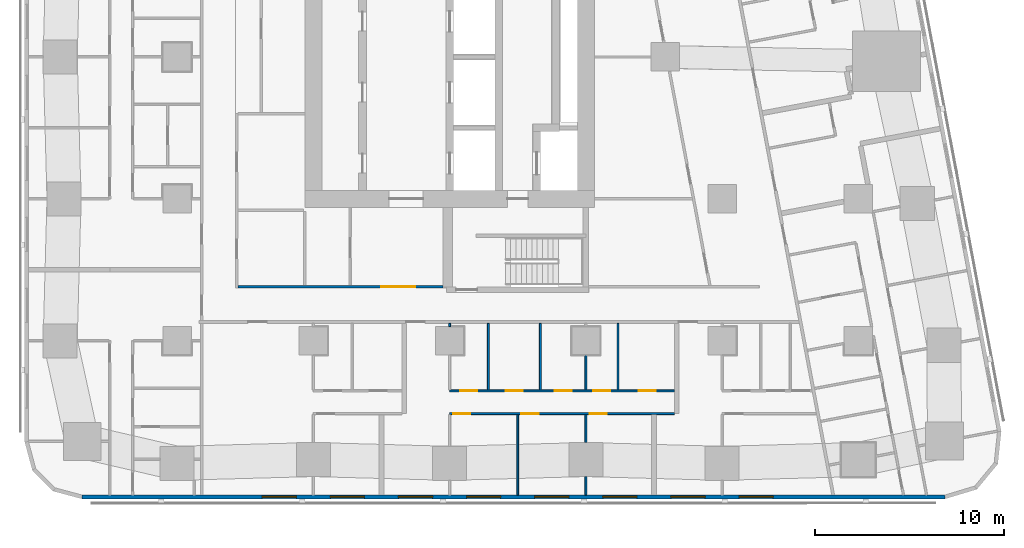
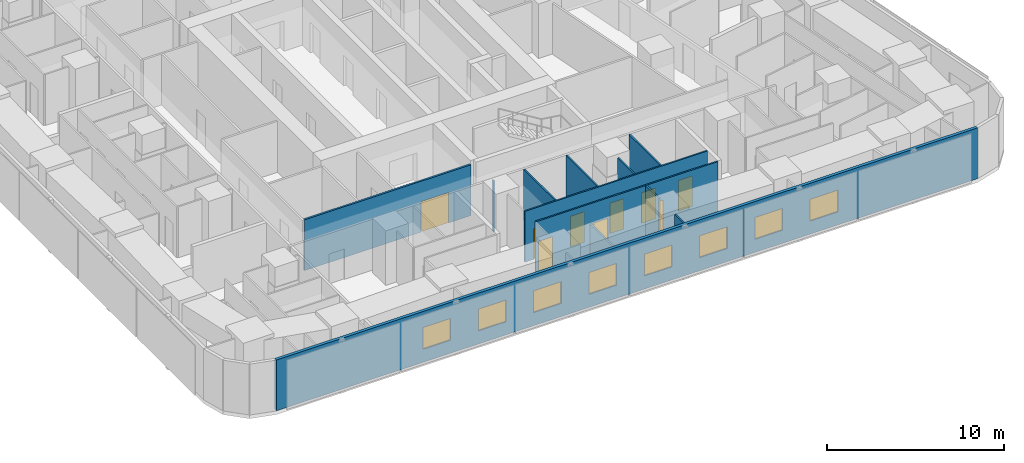
# One storey, part 3 of 15: 12 walls, 9 doors, 8 windows, 17 openings.
"""IFC4 building model written with IfcOpenShell, lengths in metres."""

from ifc_helpers import new_model, si_unit, direction, frame, frame_2d, origin, place, context, subcontext, project, spatial, rectangle, extrude, material, layer, layer_set, type_object, element, fill, save


model = new_model("IFC4")

# Units and contexts
model_context = context("Model", 3, precision=1e-05, world=origin(), true_north=direction((0.0, 1.0)))
body_context = subcontext(model_context, "Body", "Model", "MODEL_VIEW")
ifc_project = project(units=[si_unit("LENGTHUNIT", "METRE"), si_unit("AREAUNIT", "SQUARE_METRE"), si_unit("VOLUMEUNIT", "CUBIC_METRE"), si_unit("PLANEANGLEUNIT", "RADIAN"), si_unit("MASSUNIT", "GRAM", prefix="KILO")], contexts=[model_context])

# Site, building, storey
site_placement = place(None, origin())
site = spatial("IfcSite", under=ifc_project, at=site_placement, CompositionType="ELEMENT")
building_placement = place(site_placement, origin())
building = spatial("IfcBuilding", under=site, at=building_placement, Name="Sheger Commons Tower", CompositionType="ELEMENT")
storey_placement = place(building_placement, frame((0.0, 0.0, 158.300048828125)))
storey = spatial("IfcBuildingStorey", under=building, at=storey_placement, Name="L40", CompositionType="ELEMENT", Elevation=158.300048828125)

# Wall, openings, windows
ifc_material_1 = material(Name="Rendered concrete block masonry, dark grey", Category="masonry")
ifc_layer_1 = layer(ifc_material_1, 0.199951171875)
ifc_layer_set_1 = layer_set([ifc_layer_1], Name="FACADE WALL 200")
wall_type_1 = type_object("IfcWallType", Name="FACADE WALL 200", PredefinedType="SOLIDWALL", material=ifc_layer_set_1)
wall_1_placement = place(storey_placement, frame((2.1630859375, -0.75, 0.0), z_axis=(0.0, 0.0, 1.0), x_axis=(1.0, 0.0, 0.0)))
wall_1 = element("IfcWall", 1, at=wall_1_placement, inside=storey, type_object=wall_type_1, Name="Facade wall L40", PredefinedType="SOLIDWALL", context=body_context, shape_type="SweptSolid", body=[
    extrude(rectangle(XDim=45.6279296875, YDim=0.199951171875, at=frame_2d((22.81396484375, 0.0))), origin(), (0.0, 0.0, 1.0), 3.5),
])
opening_1_placement = place(wall_1_placement, frame((9.537109375, 0.0, 0.89990234375)))
opening_1 = element("IfcOpeningElement", 2, at=opening_1_placement, cuts=wall_1, Name="Opening W2", PredefinedType="OPENING", context=body_context, shape_type="SweptSolid", body=[
    extrude(rectangle(XDim=1.800048828125, YDim=1.5, at=frame_2d((0.89990234375, 0.75))), frame((0.0, 0.10986328125, 0.0), z_axis=(0.0, -1.0, 0.0), x_axis=(1.0, 0.0, 0.0)), (0.0, 0.0, 1.0), 0.219970703125),
])
opening_2_placement = place(wall_1_placement, frame((13.136962890625, 0.0, 0.89990234375)))
opening_2 = element("IfcOpeningElement", 3, at=opening_2_placement, cuts=wall_1, Name="Opening W2", PredefinedType="OPENING", context=body_context, shape_type="SweptSolid", body=[
    extrude(rectangle(XDim=1.800048828125, YDim=1.5, at=frame_2d((0.89990234375, 0.75))), frame((0.0, 0.10986328125, 0.0), z_axis=(0.0, -1.0, 0.0), x_axis=(1.0, 0.0, 0.0)), (0.0, 0.0, 1.0), 0.219970703125),
])
opening_3_placement = place(wall_1_placement, frame((16.737060546875, 0.0, 0.89990234375)))
opening_3 = element("IfcOpeningElement", 4, at=opening_3_placement, cuts=wall_1, Name="Opening W2", PredefinedType="OPENING", context=body_context, shape_type="SweptSolid", body=[
    extrude(rectangle(XDim=1.800048828125, YDim=1.5, at=frame_2d((0.89990234375, 0.75))), frame((0.0, 0.10986328125, 0.0), z_axis=(0.0, -1.0, 0.0), x_axis=(1.0, 0.0, 0.0)), (0.0, 0.0, 1.0), 0.219970703125),
])
opening_4_placement = place(wall_1_placement, frame((20.3369140625, 0.0, 0.89990234375)))
opening_4 = element("IfcOpeningElement", 5, at=opening_4_placement, cuts=wall_1, Name="Opening W2", PredefinedType="OPENING", context=body_context, shape_type="SweptSolid", body=[
    extrude(rectangle(XDim=1.800048828125, YDim=1.5, at=frame_2d((0.89990234375, 0.75))), frame((0.0, 0.10986328125, 0.0), z_axis=(0.0, -1.0, 0.0), x_axis=(1.0, 0.0, 0.0)), (0.0, 0.0, 1.0), 0.219970703125),
])
opening_5_placement = place(wall_1_placement, frame((23.93701171875, 0.0, 0.89990234375)))
opening_5 = element("IfcOpeningElement", 6, at=opening_5_placement, cuts=wall_1, Name="Opening W2", PredefinedType="OPENING", context=body_context, shape_type="SweptSolid", body=[
    extrude(rectangle(XDim=1.800048828125, YDim=1.5, at=frame_2d((0.89990234375, 0.75))), frame((0.0, 0.10986328125, 0.0), z_axis=(0.0, -1.0, 0.0), x_axis=(1.0, 0.0, 0.0)), (0.0, 0.0, 1.0), 0.219970703125),
])
opening_6_placement = place(wall_1_placement, frame((27.537109375, 0.0, 0.89990234375)))
opening_6 = element("IfcOpeningElement", 7, at=opening_6_placement, cuts=wall_1, Name="Opening W2", PredefinedType="OPENING", context=body_context, shape_type="SweptSolid", body=[
    extrude(rectangle(XDim=1.800048828125, YDim=1.5, at=frame_2d((0.89990234375, 0.75))), frame((0.0, 0.10986328125, 0.0), z_axis=(0.0, -1.0, 0.0), x_axis=(1.0, 0.0, 0.0)), (0.0, 0.0, 1.0), 0.219970703125),
])
opening_7_placement = place(wall_1_placement, frame((31.136962890625, 0.0, 0.89990234375)))
opening_7 = element("IfcOpeningElement", 8, at=opening_7_placement, cuts=wall_1, Name="Opening W2", PredefinedType="OPENING", context=body_context, shape_type="SweptSolid", body=[
    extrude(rectangle(XDim=1.800048828125, YDim=1.5, at=frame_2d((0.89990234375, 0.75))), frame((0.0, 0.10986328125, 0.0), z_axis=(0.0, -1.0, 0.0), x_axis=(1.0, 0.0, 0.0)), (0.0, 0.0, 1.0), 0.219970703125),
])
opening_8_placement = place(wall_1_placement, frame((34.737060546875, 0.0, 0.89990234375)))
opening_8 = element("IfcOpeningElement", 9, at=opening_8_placement, cuts=wall_1, Name="Opening W2", PredefinedType="OPENING", context=body_context, shape_type="SweptSolid", body=[
    extrude(rectangle(XDim=1.800048828125, YDim=1.5, at=frame_2d((0.89990234375, 0.75))), frame((0.0, 0.10986328125, 0.0), z_axis=(0.0, -1.0, 0.0), x_axis=(1.0, 0.0, 0.0)), (0.0, 0.0, 1.0), 0.219970703125),
])
ifc_material_2 = material(Name="Black aluminium frame, dark tinted double glazing", Category="aluminium")
window_type = type_object("IfcWindowType", Name="WINDOW W2 1800x1500", PartitioningType="SINGLE_PANEL", PredefinedType="WINDOW", material=ifc_material_2)
window_1_placement = place(opening_1_placement, origin())
window_1 = element("IfcWindow", 10, at=window_1_placement, inside=storey, type_object=window_type, Name="Window W2 1800X1500", OverallHeight=1.5, OverallWidth=1.800048828125, PartitioningType="SINGLE_PANEL", PredefinedType="WINDOW", context=body_context, shape_type="SweptSolid", body=[
    extrude(rectangle(XDim=1.800048828125, YDim=1.5, at=frame_2d((0.89990234375, 0.75))), frame((0.0, 0.030029296875, 0.0), z_axis=(0.0, -1.0, 0.0), x_axis=(1.0, 0.0, 0.0)), (0.0, 0.0, 1.0), 0.06005859375),
])
fill(opening_1, window_1)
window_2_placement = place(opening_2_placement, origin())
window_2 = element("IfcWindow", 11, at=window_2_placement, inside=storey, type_object=window_type, Name="Window W2 1800X1500", OverallHeight=1.5, OverallWidth=1.800048828125, PartitioningType="SINGLE_PANEL", PredefinedType="WINDOW", context=body_context, shape_type="SweptSolid", body=[
    extrude(rectangle(XDim=1.800048828125, YDim=1.5, at=frame_2d((0.89990234375, 0.75))), frame((0.0, 0.030029296875, 0.0), z_axis=(0.0, -1.0, 0.0), x_axis=(1.0, 0.0, 0.0)), (0.0, 0.0, 1.0), 0.06005859375),
])
fill(opening_2, window_2)
window_3_placement = place(opening_3_placement, origin())
window_3 = element("IfcWindow", 12, at=window_3_placement, inside=storey, type_object=window_type, Name="Window W2 1800X1500", OverallHeight=1.5, OverallWidth=1.800048828125, PartitioningType="SINGLE_PANEL", PredefinedType="WINDOW", context=body_context, shape_type="SweptSolid", body=[
    extrude(rectangle(XDim=1.800048828125, YDim=1.5, at=frame_2d((0.89990234375, 0.75))), frame((0.0, 0.030029296875, 0.0), z_axis=(0.0, -1.0, 0.0), x_axis=(1.0, 0.0, 0.0)), (0.0, 0.0, 1.0), 0.06005859375),
])
fill(opening_3, window_3)
window_4_placement = place(opening_4_placement, origin())
window_4 = element("IfcWindow", 13, at=window_4_placement, inside=storey, type_object=window_type, Name="Window W2 1800X1500", OverallHeight=1.5, OverallWidth=1.800048828125, PartitioningType="SINGLE_PANEL", PredefinedType="WINDOW", context=body_context, shape_type="SweptSolid", body=[
    extrude(rectangle(XDim=1.800048828125, YDim=1.5, at=frame_2d((0.89990234375, 0.75))), frame((0.0, 0.030029296875, 0.0), z_axis=(0.0, -1.0, 0.0), x_axis=(1.0, 0.0, 0.0)), (0.0, 0.0, 1.0), 0.06005859375),
])
fill(opening_4, window_4)
window_5_placement = place(opening_5_placement, origin())
window_5 = element("IfcWindow", 14, at=window_5_placement, inside=storey, type_object=window_type, Name="Window W2 1800X1500", OverallHeight=1.5, OverallWidth=1.800048828125, PartitioningType="SINGLE_PANEL", PredefinedType="WINDOW", context=body_context, shape_type="SweptSolid", body=[
    extrude(rectangle(XDim=1.800048828125, YDim=1.5, at=frame_2d((0.89990234375, 0.75))), frame((0.0, 0.030029296875, 0.0), z_axis=(0.0, -1.0, 0.0), x_axis=(1.0, 0.0, 0.0)), (0.0, 0.0, 1.0), 0.06005859375),
])
fill(opening_5, window_5)
window_6_placement = place(opening_6_placement, origin())
window_6 = element("IfcWindow", 15, at=window_6_placement, inside=storey, type_object=window_type, Name="Window W2 1800X1500", OverallHeight=1.5, OverallWidth=1.800048828125, PartitioningType="SINGLE_PANEL", PredefinedType="WINDOW", context=body_context, shape_type="SweptSolid", body=[
    extrude(rectangle(XDim=1.800048828125, YDim=1.5, at=frame_2d((0.89990234375, 0.75))), frame((0.0, 0.030029296875, 0.0), z_axis=(0.0, -1.0, 0.0), x_axis=(1.0, 0.0, 0.0)), (0.0, 0.0, 1.0), 0.06005859375),
])
fill(opening_6, window_6)
window_7_placement = place(opening_7_placement, origin())
window_7 = element("IfcWindow", 16, at=window_7_placement, inside=storey, type_object=window_type, Name="Window W2 1800X1500", OverallHeight=1.5, OverallWidth=1.800048828125, PartitioningType="SINGLE_PANEL", PredefinedType="WINDOW", context=body_context, shape_type="SweptSolid", body=[
    extrude(rectangle(XDim=1.800048828125, YDim=1.5, at=frame_2d((0.89990234375, 0.75))), frame((0.0, 0.030029296875, 0.0), z_axis=(0.0, -1.0, 0.0), x_axis=(1.0, 0.0, 0.0)), (0.0, 0.0, 1.0), 0.06005859375),
])
fill(opening_7, window_7)
window_8_placement = place(opening_8_placement, origin())
window_8 = element("IfcWindow", 17, at=window_8_placement, inside=storey, type_object=window_type, Name="Window W2 1800X1500", OverallHeight=1.5, OverallWidth=1.800048828125, PartitioningType="SINGLE_PANEL", PredefinedType="WINDOW", context=body_context, shape_type="SweptSolid", body=[
    extrude(rectangle(XDim=1.800048828125, YDim=1.5, at=frame_2d((0.89990234375, 0.75))), frame((0.0, 0.030029296875, 0.0), z_axis=(0.0, -1.0, 0.0), x_axis=(1.0, 0.0, 0.0)), (0.0, 0.0, 1.0), 0.06005859375),
])
fill(opening_8, window_8)

# Wall, openings, doors
ifc_material_3 = material(Name="Gypsum board on steel studs", Category="steel")
ifc_layer_2 = layer(ifc_material_3, 0.10009765625)
ifc_layer_set_2 = layer_set([ifc_layer_2], Name="PARTITION 100")
wall_type_2 = type_object("IfcWallType", Name="PARTITION 100", PredefinedType="PARTITIONING", material=ifc_layer_set_2)
wall_2_placement = place(storey_placement, frame((33.47412109375, 3.64990234375, 0.0), z_axis=(0.0, 0.0, 1.0), x_axis=(-1.0, 0.0, 0.0)))
wall_2 = element("IfcWall", 18, at=wall_2_placement, inside=storey, type_object=wall_type_2, Name="Partition L40", PredefinedType="PARTITIONING", context=body_context, shape_type="SweptSolid", body=[
    extrude(rectangle(XDim=11.8740234375, YDim=0.10009765625, at=frame_2d((5.93701171875, 0.0))), origin(), (0.0, 0.0, 1.0), 3.5),
])
opening_9_placement = place(wall_2_placement, frame((10.77392578125, 0.0, 0.0)))
opening_9 = element("IfcOpeningElement", 19, at=opening_9_placement, cuts=wall_2, Name="Opening D2", PredefinedType="OPENING", context=body_context, shape_type="SweptSolid", body=[
    extrude(rectangle(XDim=0.89990234375, YDim=2.10009765625, at=frame_2d((0.449951171875, 1.050048828125))), frame((0.0, 0.06005859375, 0.0), z_axis=(0.0, -1.0, 0.0), x_axis=(1.0, 0.0, 0.0)), (0.0, 0.0, 1.0), 0.1201171875),
])
opening_10_placement = place(wall_2_placement, frame((7.174072265625, 0.0, 0.0)))
opening_10 = element("IfcOpeningElement", 20, at=opening_10_placement, cuts=wall_2, Name="Opening D2", PredefinedType="OPENING", context=body_context, shape_type="SweptSolid", body=[
    extrude(rectangle(XDim=0.89990234375, YDim=2.10009765625, at=frame_2d((0.449951171875, 1.050048828125))), frame((0.0, 0.06005859375, 0.0), z_axis=(0.0, -1.0, 0.0), x_axis=(1.0, 0.0, 0.0)), (0.0, 0.0, 1.0), 0.1201171875),
])
opening_11_placement = place(wall_2_placement, frame((3.573974609375, 0.0, 0.0)))
opening_11 = element("IfcOpeningElement", 21, at=opening_11_placement, cuts=wall_2, Name="Opening D2", PredefinedType="OPENING", context=body_context, shape_type="SweptSolid", body=[
    extrude(rectangle(XDim=0.89990234375, YDim=2.10009765625, at=frame_2d((0.449951171875, 1.050048828125))), frame((0.0, 0.06005859375, 0.0), z_axis=(0.0, -1.0, 0.0), x_axis=(1.0, 0.0, 0.0)), (0.0, 0.0, 1.0), 0.1201171875),
])
ifc_material_4 = material(Name="Timber door set", Category="wood")
door_type_1 = type_object("IfcDoorType", Name="INTERNAL DOOR 900x2100", OperationType="NOTDEFINED", PredefinedType="DOOR", material=ifc_material_4)
door_1_placement = place(opening_9_placement, origin())
door_1 = element("IfcDoor", 22, at=door_1_placement, inside=storey, type_object=door_type_1, Name="Main bedroom door", OperationType="SINGLE_SWING_RIGHT", OverallHeight=2.10009765625, OverallWidth=0.89990234375, PredefinedType="DOOR", context=body_context, shape_type="SweptSolid", body=[
    extrude(rectangle(XDim=0.89990234375, YDim=2.10009765625, at=frame_2d((0.449951171875, 1.050048828125))), frame((0.0, 0.02490234375, 0.0), z_axis=(0.0, -1.0, 0.0), x_axis=(1.0, 0.0, 0.0)), (0.0, 0.0, 1.0), 0.050048828125),
])
fill(opening_9, door_1)
door_2_placement = place(opening_10_placement, origin())
door_2 = element("IfcDoor", 23, at=door_2_placement, inside=storey, type_object=door_type_1, Name="Bedroom 2 door", OperationType="SINGLE_SWING_RIGHT", OverallHeight=2.10009765625, OverallWidth=0.89990234375, PredefinedType="DOOR", context=body_context, shape_type="SweptSolid", body=[
    extrude(rectangle(XDim=0.89990234375, YDim=2.10009765625, at=frame_2d((0.449951171875, 1.050048828125))), frame((0.0, 0.02490234375, 0.0), z_axis=(0.0, -1.0, 0.0), x_axis=(1.0, 0.0, 0.0)), (0.0, 0.0, 1.0), 0.050048828125),
])
fill(opening_10, door_2)
door_3_placement = place(opening_11_placement, origin())
door_3 = element("IfcDoor", 24, at=door_3_placement, inside=storey, type_object=door_type_1, Name="Bedroom 3 door", OperationType="SINGLE_SWING_RIGHT", OverallHeight=2.10009765625, OverallWidth=0.89990234375, PredefinedType="DOOR", context=body_context, shape_type="SweptSolid", body=[
    extrude(rectangle(XDim=0.89990234375, YDim=2.10009765625, at=frame_2d((0.449951171875, 1.050048828125))), frame((0.0, 0.02490234375, 0.0), z_axis=(0.0, -1.0, 0.0), x_axis=(1.0, 0.0, 0.0)), (0.0, 0.0, 1.0), 0.050048828125),
])
fill(opening_11, door_3)

wall_3_placement = place(storey_placement, frame((33.47412109375, 4.85009765625, 0.0), z_axis=(0.0, 0.0, 1.0), x_axis=(-1.0, 0.0, 0.0)))
wall_3 = element("IfcWall", 25, at=wall_3_placement, inside=storey, type_object=wall_type_2, Name="Partition L40", PredefinedType="PARTITIONING", context=body_context, shape_type="SweptSolid", body=[
    extrude(rectangle(XDim=11.8740234375, YDim=0.10009765625, at=frame_2d((5.93701171875, 0.0))), origin(), (0.0, 0.0, 1.0), 3.5),
])
opening_12_placement = place(wall_3_placement, frame((10.39892578125, 0.0, 0.0)))
opening_12 = element("IfcOpeningElement", 26, at=opening_12_placement, cuts=wall_3, Name="Opening D2", PredefinedType="OPENING", context=body_context, shape_type="SweptSolid", body=[
    extrude(rectangle(XDim=0.89990234375, YDim=2.10009765625, at=frame_2d((0.449951171875, 1.050048828125))), frame((0.0, 0.06005859375, 0.0), z_axis=(0.0, -1.0, 0.0), x_axis=(1.0, 0.0, 0.0)), (0.0, 0.0, 1.0), 0.1201171875),
])
opening_13_placement = place(wall_3_placement, frame((5.425048828125, 0.0, 0.0)))
opening_13 = element("IfcOpeningElement", 27, at=opening_13_placement, cuts=wall_3, Name="Opening D2", PredefinedType="OPENING", context=body_context, shape_type="SweptSolid", body=[
    extrude(rectangle(XDim=0.89990234375, YDim=2.10009765625, at=frame_2d((0.449951171875, 1.050048828125))), frame((0.0, 0.06005859375, 0.0), z_axis=(0.0, -1.0, 0.0), x_axis=(1.0, 0.0, 0.0)), (0.0, 0.0, 1.0), 0.1201171875),
])
opening_14_placement = place(wall_3_placement, frame((3.3740234375, 0.0, 0.0)))
opening_14 = element("IfcOpeningElement", 28, at=opening_14_placement, cuts=wall_3, Name="Opening D2", PredefinedType="OPENING", context=body_context, shape_type="SweptSolid", body=[
    extrude(rectangle(XDim=0.89990234375, YDim=2.10009765625, at=frame_2d((0.449951171875, 1.050048828125))), frame((0.0, 0.06005859375, 0.0), z_axis=(0.0, -1.0, 0.0), x_axis=(1.0, 0.0, 0.0)), (0.0, 0.0, 1.0), 0.1201171875),
])
opening_15_placement = place(wall_3_placement, frame((8.0, 0.0, 0.0)))
opening_15 = element("IfcOpeningElement", 29, at=opening_15_placement, cuts=wall_3, Name="Opening D2", PredefinedType="OPENING", context=body_context, shape_type="SweptSolid", body=[
    extrude(rectangle(XDim=0.89990234375, YDim=2.10009765625, at=frame_2d((0.449951171875, 1.050048828125))), frame((0.0, 0.06005859375, 0.0), z_axis=(0.0, -1.0, 0.0), x_axis=(1.0, 0.0, 0.0)), (0.0, 0.0, 1.0), 0.1201171875),
])
opening_16_placement = place(wall_3_placement, frame((0.97509765625, 0.0, 0.0)))
opening_16 = element("IfcOpeningElement", 30, at=opening_16_placement, cuts=wall_3, Name="Opening D2", PredefinedType="OPENING", context=body_context, shape_type="SweptSolid", body=[
    extrude(rectangle(XDim=0.89990234375, YDim=2.10009765625, at=frame_2d((0.449951171875, 1.050048828125))), frame((0.0, 0.06005859375, 0.0), z_axis=(0.0, -1.0, 0.0), x_axis=(1.0, 0.0, 0.0)), (0.0, 0.0, 1.0), 0.1201171875),
])
door_4_placement = place(opening_12_placement, origin())
door_4 = element("IfcDoor", 31, at=door_4_placement, inside=storey, type_object=door_type_1, Name="Bathroom door", OperationType="SINGLE_SWING_LEFT", OverallHeight=2.10009765625, OverallWidth=0.89990234375, PredefinedType="DOOR", context=body_context, shape_type="SweptSolid", body=[
    extrude(rectangle(XDim=0.89990234375, YDim=2.10009765625, at=frame_2d((0.449951171875, 1.050048828125))), frame((0.0, 0.02490234375, 0.0), z_axis=(0.0, -1.0, 0.0), x_axis=(1.0, 0.0, 0.0)), (0.0, 0.0, 1.0), 0.050048828125),
])
fill(opening_12, door_4)
door_5_placement = place(opening_13_placement, origin())
door_5 = element("IfcDoor", 32, at=door_5_placement, inside=storey, type_object=door_type_1, Name="Laundry room door", OperationType="SINGLE_SWING_RIGHT", OverallHeight=2.10009765625, OverallWidth=0.89990234375, PredefinedType="DOOR", context=body_context, shape_type="SweptSolid", body=[
    extrude(rectangle(XDim=0.89990234375, YDim=2.10009765625, at=frame_2d((0.449951171875, 1.050048828125))), frame((0.0, 0.02490234375, 0.0), z_axis=(0.0, -1.0, 0.0), x_axis=(1.0, 0.0, 0.0)), (0.0, 0.0, 1.0), 0.050048828125),
])
fill(opening_13, door_5)
door_6_placement = place(opening_14_placement, origin())
door_6 = element("IfcDoor", 33, at=door_6_placement, inside=storey, type_object=door_type_1, Name="Laundry room door", OperationType="SINGLE_SWING_RIGHT", OverallHeight=2.10009765625, OverallWidth=0.89990234375, PredefinedType="DOOR", context=body_context, shape_type="SweptSolid", body=[
    extrude(rectangle(XDim=0.89990234375, YDim=2.10009765625, at=frame_2d((0.449951171875, 1.050048828125))), frame((0.0, 0.02490234375, 0.0), z_axis=(0.0, -1.0, 0.0), x_axis=(1.0, 0.0, 0.0)), (0.0, 0.0, 1.0), 0.050048828125),
])
fill(opening_14, door_6)
door_7_placement = place(opening_15_placement, origin())
door_7 = element("IfcDoor", 34, at=door_7_placement, inside=storey, type_object=door_type_1, Name="Store door", OperationType="SINGLE_SWING_LEFT", OverallHeight=2.10009765625, OverallWidth=0.89990234375, PredefinedType="DOOR", context=body_context, shape_type="SweptSolid", body=[
    extrude(rectangle(XDim=0.89990234375, YDim=2.10009765625, at=frame_2d((0.449951171875, 1.050048828125))), frame((0.0, 0.02490234375, 0.0), z_axis=(0.0, -1.0, 0.0), x_axis=(1.0, 0.0, 0.0)), (0.0, 0.0, 1.0), 0.050048828125),
])
fill(opening_15, door_7)
door_8_placement = place(opening_16_placement, origin())
door_8 = element("IfcDoor", 35, at=door_8_placement, inside=storey, type_object=door_type_1, Name="Store door", OperationType="SINGLE_SWING_RIGHT", OverallHeight=2.10009765625, OverallWidth=0.89990234375, PredefinedType="DOOR", context=body_context, shape_type="SweptSolid", body=[
    extrude(rectangle(XDim=0.89990234375, YDim=2.10009765625, at=frame_2d((0.449951171875, 1.050048828125))), frame((0.0, 0.02490234375, 0.0), z_axis=(0.0, -1.0, 0.0), x_axis=(1.0, 0.0, 0.0)), (0.0, 0.0, 1.0), 0.050048828125),
])
fill(opening_16, door_8)

# Walls
wall_4_placement = place(storey_placement, frame((25.199951171875, -0.64990234375, 0.0), z_axis=(0.0, 0.0, 1.0), x_axis=(0.0, 1.0, 0.0)))
element("IfcWall", 36, at=wall_4_placement, inside=storey, type_object=wall_type_2, Name="Partition L40", PredefinedType="PARTITIONING", context=body_context, shape_type="SweptSolid", body=[
    extrude(rectangle(XDim=4.25, YDim=0.10009765625, at=frame_2d((2.125, 0.0))), origin(), (0.0, 0.0, 1.0), 2.099853515625),
])
wall_5_placement = place(storey_placement, frame((28.800048828125, -0.64990234375, 0.0), z_axis=(0.0, 0.0, 1.0), x_axis=(0.0, 1.0, 0.0)))
element("IfcWall", 37, at=wall_5_placement, inside=storey, type_object=wall_type_2, Name="Partition L40", PredefinedType="PARTITIONING", context=body_context, shape_type="SweptSolid", body=[
    extrude(rectangle(XDim=0.973876953125, YDim=0.10009765625, at=frame_2d((0.48681640625, 0.0))), origin(), (0.0, 0.0, 1.0), 3.5),
])
wall_6_placement = place(storey_placement, frame((28.800048828125, 2.1259765625, 0.0), z_axis=(0.0, 0.0, 1.0), x_axis=(0.0, 1.0, 0.0)))
element("IfcWall", 38, at=wall_6_placement, inside=storey, type_object=wall_type_2, Name="Partition L40", PredefinedType="PARTITIONING", context=body_context, shape_type="SweptSolid", body=[
    extrude(rectangle(XDim=1.47412109375, YDim=0.10009765625, at=frame_2d((0.737060546875, 0.0))), origin(), (0.0, 0.0, 1.0), 3.5),
])
wall_7_placement = place(storey_placement, frame((21.60009765625, 8.2509765625, 0.0), z_axis=(0.0, 0.0, 1.0), x_axis=(0.0, 1.0, 0.0)))
element("IfcWall", 39, at=wall_7_placement, inside=storey, type_object=wall_type_2, Name="Partition L40", PredefinedType="PARTITIONING", context=body_context, shape_type="SweptSolid", body=[
    extrude(rectangle(XDim=0.174072265625, YDim=0.10009765625, at=frame_2d((0.0869140625, 0.0))), origin(), (0.0, 0.0, 1.0), 3.5),
])
wall_8_placement = place(storey_placement, frame((26.39892578125, 4.89990234375, 0.0), z_axis=(0.0, 0.0, 1.0), x_axis=(0.0, 1.0, 0.0)))
element("IfcWall", 40, at=wall_8_placement, inside=storey, type_object=wall_type_2, Name="Partition L40", PredefinedType="PARTITIONING", context=body_context, shape_type="SweptSolid", body=[
    extrude(rectangle(XDim=3.525146484375, YDim=0.10009765625, at=frame_2d((1.7626953125, 0.0))), origin(), (0.0, 0.0, 1.0), 3.5),
])
wall_9_placement = place(storey_placement, frame((28.800048828125, 4.89990234375, 0.0), z_axis=(0.0, 0.0, 1.0), x_axis=(0.0, 1.0, 0.0)))
element("IfcWall", 41, at=wall_9_placement, inside=storey, type_object=wall_type_2, Name="Partition L40", PredefinedType="PARTITIONING", context=body_context, shape_type="SweptSolid", body=[
    extrude(rectangle(XDim=1.84912109375, YDim=0.10009765625, at=frame_2d((0.924560546875, 0.0))), origin(), (0.0, 0.0, 1.0), 3.5),
])
for number, where, z_axis, x_axis, name in (
    (42, (23.64990234375, 4.89990234375, 0.0), (0.0, 0.0, 1.0), (0.0, 1.0, 0.0), "Partition L40"),
    (43, (30.5, 4.89990234375, 0.0), (0.0, 0.0, 1.0), (0.0, 1.0, 0.0), "Partition L40"),
):
    element("IfcWall", number, at=place(storey_placement, frame(where, z_axis=z_axis, x_axis=x_axis)), inside=storey, type_object=wall_type_2, Name=name, PredefinedType="PARTITIONING", context=body_context, shape_type="SweptSolid", body=[
        extrude(rectangle(XDim=3.525146484375, YDim=0.10009765625, at=frame_2d((1.7626953125, 0.0))), origin(), (0.0, 0.0, 1.0), 3.5),
    ])

# Wall, opening, door
ifc_material_5 = material(Name="Gypsum board on steel studs, two layers each side, fire rated", Category="steel")
ifc_layer_3 = layer(ifc_material_5, 0.125)
ifc_layer_set_3 = layer_set([ifc_layer_3], Name="SERVICE WALL 125")
wall_type_3 = type_object("IfcWallType", Name="SERVICE WALL 125", PredefinedType="PARTITIONING", material=ifc_layer_set_3)
wall_10_placement = place(storey_placement, frame((10.4130859375, 10.35009765625, 0.0), z_axis=(0.0, 0.0, 1.0), x_axis=(1.0, 0.0, 0.0)))
wall_10 = element("IfcWall", 44, at=wall_10_placement, inside=storey, type_object=wall_type_3, Name="Service room wall L40", PredefinedType="PARTITIONING", context=body_context, shape_type="SweptSolid", body=[
    extrude(rectangle(XDim=10.8369140625, YDim=0.125, at=frame_2d((5.41845703125, 0.0))), origin(), (0.0, 0.0, 1.0), 3.5),
])
opening_17_placement = place(wall_10_placement, frame((7.58203125, 0.0, 0.0)))
opening_17 = element("IfcOpeningElement", 45, at=opening_17_placement, cuts=wall_10, Name="Opening D6", PredefinedType="OPENING", context=body_context, shape_type="SweptSolid", body=[
    extrude(rectangle(XDim=1.800048828125, YDim=2.10009765625, at=frame_2d((0.89990234375, 1.050048828125))), frame((0.0, 0.072509765625, 0.0), z_axis=(0.0, -1.0, 0.0), x_axis=(1.0, 0.0, 0.0)), (0.0, 0.0, 1.0), 0.14501953125),
])
ifc_material_6 = material(Name="Steel door set, fire rated", Category="steel")
door_type_2 = type_object("IfcDoorType", Name="LOBBY DOUBLE DOOR 1800x2100", OperationType="DOUBLE_DOOR_SINGLE_SWING", PredefinedType="DOOR", material=ifc_material_6)
door_9_placement = place(opening_17_placement, origin())
door_9 = element("IfcDoor", 46, at=door_9_placement, inside=storey, type_object=door_type_2, Name="Lift lobby south door", OperationType="DOUBLE_DOOR_SINGLE_SWING", OverallHeight=2.10009765625, OverallWidth=1.800048828125, PredefinedType="DOOR", context=body_context, shape_type="SweptSolid", body=[
    extrude(rectangle(XDim=1.800048828125, YDim=2.10009765625, at=frame_2d((0.89990234375, 1.050048828125))), frame((0.0, 0.02490234375, 0.0), z_axis=(0.0, -1.0, 0.0), x_axis=(1.0, 0.0, 0.0)), (0.0, 0.0, 1.0), 0.050048828125),
])
fill(opening_17, door_9)

save(model, "model.ifc")
